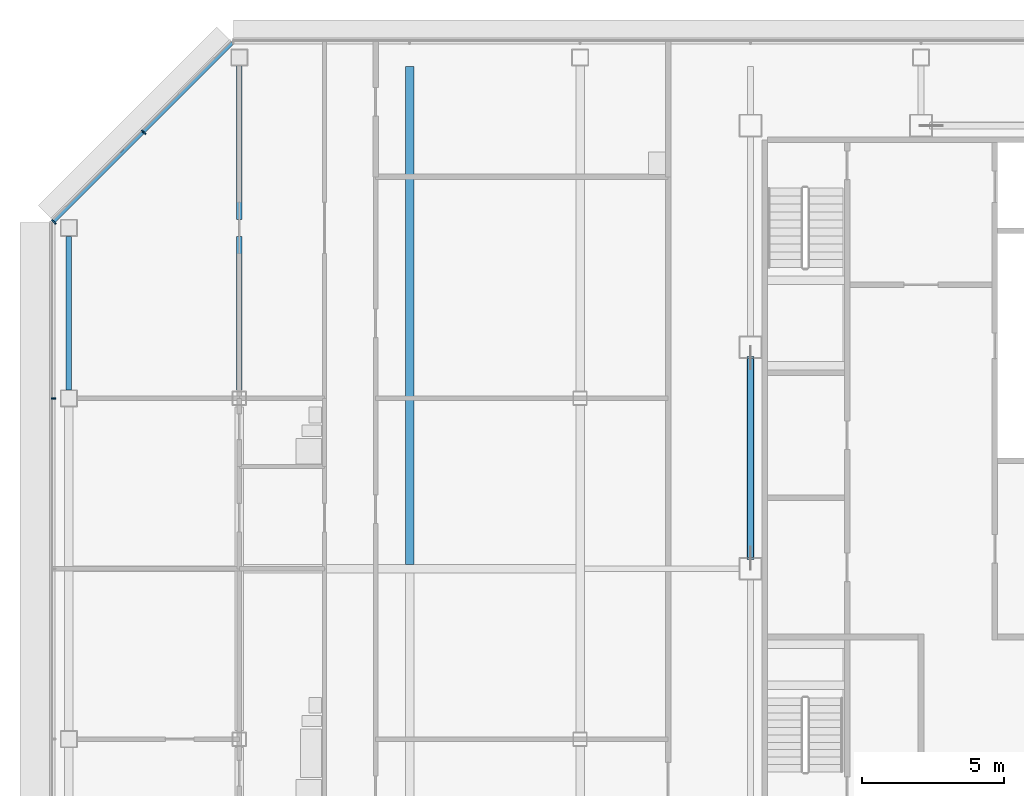
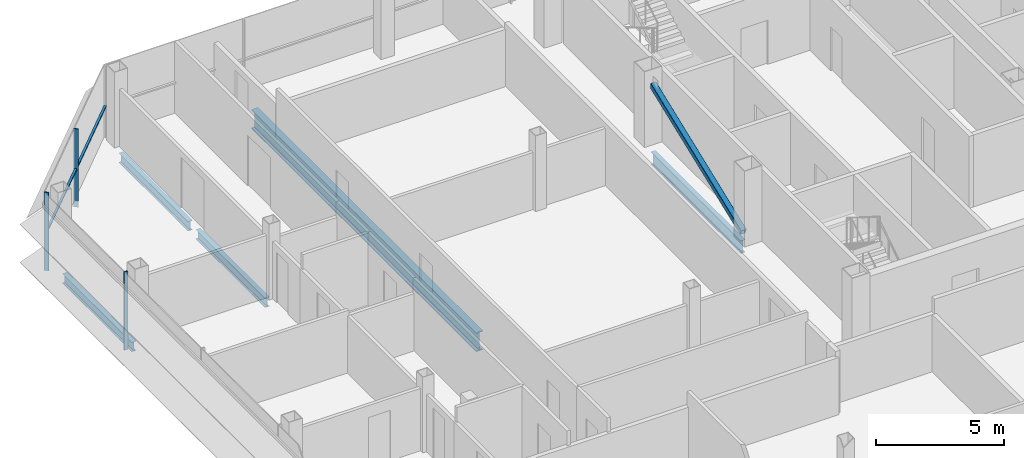
# One storey, part 11 of 28: 5 beams, 5 members, 2 elements without a shape of their own.
"""IFC4 building model written with IfcOpenShell, lengths in metres."""

from ifc_helpers import new_model, si_unit, direction, frame, origin, origin_2d, place, context, subcontext, project, spatial, rectangle, hollow_rectangle, i_section, extrude, material, material_profile, profile_set, type_object, element, aggregate, save


model = new_model("IFC4")

# Units and contexts
model_context = context("Model", 3, precision=1e-05, world=origin(), true_north=direction((0.0, 1.0)))
body_context = subcontext(model_context, "Body", "Model", "MODEL_VIEW")
ifc_project = project(units=[si_unit("LENGTHUNIT", "METRE"), si_unit("AREAUNIT", "SQUARE_METRE"), si_unit("VOLUMEUNIT", "CUBIC_METRE"), si_unit("PLANEANGLEUNIT", "RADIAN"), si_unit("MASSUNIT", "GRAM", prefix="KILO")], contexts=[model_context])

# Site, building, storey
site_placement = place(None, origin())
site = spatial("IfcSite", under=ifc_project, at=site_placement, CompositionType="ELEMENT")
building_placement = place(site_placement, origin())
building = spatial("IfcBuilding", under=site, at=building_placement, Name="Sorahane Residences", CompositionType="ELEMENT")
storey_placement = place(building_placement, frame((0.0, 0.0, 290.800048828125)))
storey = spatial("IfcBuildingStorey", under=building, at=storey_placement, Name="L68", CompositionType="ELEMENT", Elevation=290.800048828125)

# Member
ifc_material_1 = material(Name="Steel Q355B", Category="steel")
ifc_material_profile_1 = material_profile(ifc_material_1, hollow_rectangle(XDim=0.25, YDim=0.25, WallThickness=0.013916015625, InnerFilletRadius=0.007080078125, OuterFilletRadius=0.02099609375, at=origin_2d()), Name="RHS 250x250x14")
ifc_profile_set_1 = profile_set([ifc_material_profile_1], Name="Steel Q355B")
member_type_1 = type_object("IfcMemberType", Name="Core brace RHS 250x250x14 Q355B", PredefinedType="BRACE", material=ifc_profile_set_1)
member_1_placement = place(storey_placement, frame((6.0, 30.372802734375, 0.114501953125), z_axis=(0.0, 0.932112994653, 0.362167592697), x_axis=(-1.0, 0.0, 0.0)))
element("IfcMember", 1, at=member_1_placement, inside=storey, type_object=member_type_1, Name="Core brace L68 x6-2", PredefinedType="BRACE", context=body_context, shape_type="SweptSolid", body=[
    extrude(hollow_rectangle(XDim=0.25, YDim=0.25, WallThickness=0.013916015625, InnerFilletRadius=0.007080078125, OuterFilletRadius=0.02099609375, at=origin_2d()), origin(), (0.0, 0.0, 1.0), 7.568115234375),
])

# Curtain wall, member
ifc_material_2 = material(Name="Dark low-e glass and black anodised aluminium", Category="aluminium")
curtain_wall_type_1 = type_object("IfcCurtainWallType", Name="Curtain wall CW-1 Typical unitised wall", PredefinedType="NOTDEFINED", material=ifc_material_2)
curtain_wall_1_placement = place(storey_placement, origin())
curtain_wall_1 = element("IfcCurtainWall", 2, at=curtain_wall_1_placement, inside=storey, type_object=curtain_wall_type_1, Name="CW-1 curtain wall L68 W1", PredefinedType="NOTDEFINED")
ifc_material_3 = material(Name="Black anodised aluminium", Category="aluminium")
ifc_material_profile_2 = material_profile(ifc_material_3, rectangle(XDim=0.159912109375, YDim=0.050048828125, at=origin_2d()), Name="Curtain wall mullion CW-1 black anodised aluminium 50x160")
ifc_profile_set_2 = profile_set([ifc_material_profile_2], Name="Black anodised aluminium")
member_type_2 = type_object("IfcMemberType", Name="Curtain wall mullion CW-1 black anodised aluminium 50x160", PredefinedType="MULLION", material=ifc_profile_set_2)
member_2_placement = place(storey_placement, frame((-18.5400390625, 36.0, -0.300048828125), z_axis=(0.0, 0.0, 1.0), x_axis=(-1.0, 0.0, 0.0)))
member_2 = element("IfcMember", 3, at=member_2_placement, type_object=member_type_2, Name="CW-1 mullion L68 W1.2", PredefinedType="MULLION", context=body_context, shape_type="SweptSolid", body=[
    extrude(rectangle(XDim=0.159912109375, YDim=0.050048828125, at=origin_2d()), origin(), (0.0, 0.0, 1.0), 3.719970703125),
])
aggregate(curtain_wall_1, [member_2])

# Curtain wall, members
ifc_material_4 = material(Name="Dark low-e glass and black anodised aluminium", Category="aluminium")
curtain_wall_type_2 = type_object("IfcCurtainWallType", Name="Curtain wall CW-2 Chamfer unitised wall", PredefinedType="NOTDEFINED", material=ifc_material_4)
curtain_wall_2_placement = place(storey_placement, origin())
curtain_wall_2 = element("IfcCurtainWall", 4, at=curtain_wall_2_placement, inside=storey, type_object=curtain_wall_type_2, Name="CW-2 curtain wall L68 NW1", PredefinedType="NOTDEFINED")
ifc_material_5 = material(Name="Black anodised aluminium", Category="aluminium")
ifc_material_profile_3 = material_profile(ifc_material_5, rectangle(XDim=0.199951171875, YDim=0.050048828125, at=origin_2d()), Name="Curtain wall mullion CW-2 black anodised aluminium 50x200")
ifc_profile_set_3 = profile_set([ifc_material_profile_3], Name="Black anodised aluminium")
member_type_3 = type_object("IfcMemberType", Name="Curtain wall mullion CW-2 black anodised aluminium 50x200", PredefinedType="MULLION", material=ifc_profile_set_3)
member_3_placement = place(storey_placement, frame((-15.36767578125, 45.36767578125, -0.300048828125), z_axis=(0.0, 0.0, 1.0), x_axis=(-0.707106781187, 0.707106781187, 0.0)))
member_3 = element("IfcMember", 5, at=member_3_placement, type_object=member_type_3, Name="CW-2 mullion L68 NW1.2", PredefinedType="MULLION", context=body_context, shape_type="SweptSolid", body=[
    extrude(rectangle(XDim=0.199951171875, YDim=0.050048828125, at=origin_2d()), origin(), (0.0, 0.0, 1.0), 3.719970703125),
])
member_4_placement = place(storey_placement, frame((-18.525634765625, 42.209716796875, -0.300048828125), z_axis=(0.0, 0.0, 1.0), x_axis=(-0.707106781187, 0.707106781187, 0.0)))
member_4 = element("IfcMember", 6, at=member_4_placement, type_object=member_type_3, Name="CW-2 mullion L68 NW1.3", PredefinedType="MULLION", context=body_context, shape_type="SweptSolid", body=[
    extrude(rectangle(XDim=0.199951171875, YDim=0.050048828125, at=origin_2d()), origin(), (0.0, 0.0, 1.0), 3.719970703125),
])
ifc_material_6 = material(Name="Black anodised aluminium", Category="aluminium")
ifc_material_profile_4 = material_profile(ifc_material_6, rectangle(XDim=0.10009765625, YDim=0.06005859375, at=origin_2d()), Name="Curtain wall transom CW-2 black anodised aluminium 60x100")
ifc_profile_set_4 = profile_set([ifc_material_profile_4], Name="Black anodised aluminium")
member_type_4 = type_object("IfcMemberType", Name="Curtain wall transom CW-2 black anodised aluminium 60x100", PredefinedType="USERDEFINED", material=ifc_profile_set_4)
member_5_placement = place(storey_placement, frame((-12.234375, 48.51513671875, 1.5), z_axis=(-0.707106781187, -0.707106781187, 0.0), x_axis=(0.707106781187, -0.707106781187, 0.0)))
member_5 = element("IfcMember", 7, at=member_5_placement, type_object=member_type_4, Name="CW-2 transom L68 NW1", ObjectType="TRANSOM", PredefinedType="USERDEFINED", context=body_context, shape_type="SweptSolid", body=[
    extrude(rectangle(XDim=0.10009765625, YDim=0.06005859375, at=origin_2d()), origin(), (0.0, 0.0, 1.0), 8.88232421875),
])
aggregate(curtain_wall_2, [member_3, member_4, member_5])

# Beams
ifc_material_7 = material(Name="Steel Q355B", Category="steel")
ifc_material_profile_5 = material_profile(ifc_material_7, i_section(OverallWidth=0.199951171875, OverallDepth=0.449951171875, WebThickness=0.009033203125, FlangeThickness=0.013916015625, FilletRadius=0.02001953125, at=origin_2d()), Name="HN 450x200x9x14")
ifc_profile_set_5 = profile_set([ifc_material_profile_5], Name="Steel Q355B")
beam_type_1 = type_object("IfcBeamType", Name="Steel floor beam HN 450x200x9x14 Q355B", PredefinedType="BEAM", material=ifc_profile_set_5)
for number, where, z_axis, x_axis, name in (
    (8, (-18.0, 36.300048828125, -0.525146484375), (0.0, 1.0, 0.0), (-1.0, 0.0, 0.0), "Beam L68 003"),
    (9, (-12.0, 36.300048828125, -0.525146484375), (0.0, 1.0, 0.0), (-1.0, 0.0, 0.0), "Beam L68 008"),
    (10, (-12.0, 42.300048828125, -0.525146484375), (0.0, 1.0, 0.0), (-1.0, 0.0, 0.0), "Beam L68 009"),
):
    element("IfcBeam", number, at=place(storey_placement, frame(where, z_axis=z_axis, x_axis=x_axis)), inside=storey, type_object=beam_type_1, Name=name, PredefinedType="BEAM", context=body_context, shape_type="SweptSolid", body=[
        extrude(i_section(OverallWidth=0.199951171875, OverallDepth=0.449951171875, WebThickness=0.009033203125, FlangeThickness=0.013916015625, FilletRadius=0.02001953125, at=origin_2d()), origin(), (0.0, 0.0, 1.0), 5.39990234375),
    ])
ifc_material_8 = material(Name="Steel Q355B", Category="steel")
ifc_material_profile_6 = material_profile(ifc_material_8, i_section(OverallWidth=0.199951171875, OverallDepth=0.60009765625, WebThickness=0.010986328125, FlangeThickness=0.01708984375, FilletRadius=0.02392578125, at=origin_2d()), Name="HN 600x200x11x17")
ifc_profile_set_6 = profile_set([ifc_material_profile_6], Name="Steel Q355B")
beam_type_2 = type_object("IfcBeamType", Name="Steel floor beam HN 600x200x11x17 Q355B", PredefinedType="BEAM", material=ifc_profile_set_6)
beam_1_placement = place(storey_placement, frame((6.0, 30.39990234375, -0.60009765625), z_axis=(0.0, 1.0, 0.0), x_axis=(-1.0, 0.0, 0.0)))
element("IfcBeam", 11, at=beam_1_placement, inside=storey, type_object=beam_type_2, Name="Beam L68 019", PredefinedType="BEAM", context=body_context, shape_type="SweptSolid", body=[
    extrude(i_section(OverallWidth=0.199951171875, OverallDepth=0.60009765625, WebThickness=0.010986328125, FlangeThickness=0.01708984375, FilletRadius=0.02392578125, at=origin_2d()), origin(), (0.0, 0.0, 1.0), 7.0),
])
ifc_material_9 = material(Name="Steel Q355B", Category="steel")
ifc_material_profile_7 = material_profile(ifc_material_9, i_section(OverallWidth=0.300048828125, OverallDepth=0.89990234375, WebThickness=0.01611328125, FlangeThickness=0.028076171875, FilletRadius=0.028076171875, at=origin_2d()), Name="HN 900x300x16x28")
ifc_profile_set_7 = profile_set([ifc_material_profile_7], Name="Steel Q355B")
beam_type_3 = type_object("IfcBeamType", Name="Steel floor beam HN 900x300x16x28 Q355B", PredefinedType="BEAM", material=ifc_profile_set_7)
beam_2_placement = place(storey_placement, frame((-6.0, 30.150146484375, -0.75), z_axis=(0.0, 1.0, 0.0), x_axis=(-1.0, 0.0, 0.0)))
element("IfcBeam", 12, at=beam_2_placement, inside=storey, type_object=beam_type_3, Name="Beam L68 071", PredefinedType="BEAM", context=body_context, shape_type="SweptSolid", body=[
    extrude(i_section(OverallWidth=0.300048828125, OverallDepth=0.89990234375, WebThickness=0.01611328125, FlangeThickness=0.028076171875, FilletRadius=0.028076171875, at=origin_2d()), origin(), (0.0, 0.0, 1.0), 17.524658203125),
])

save(model, "model.ifc")
